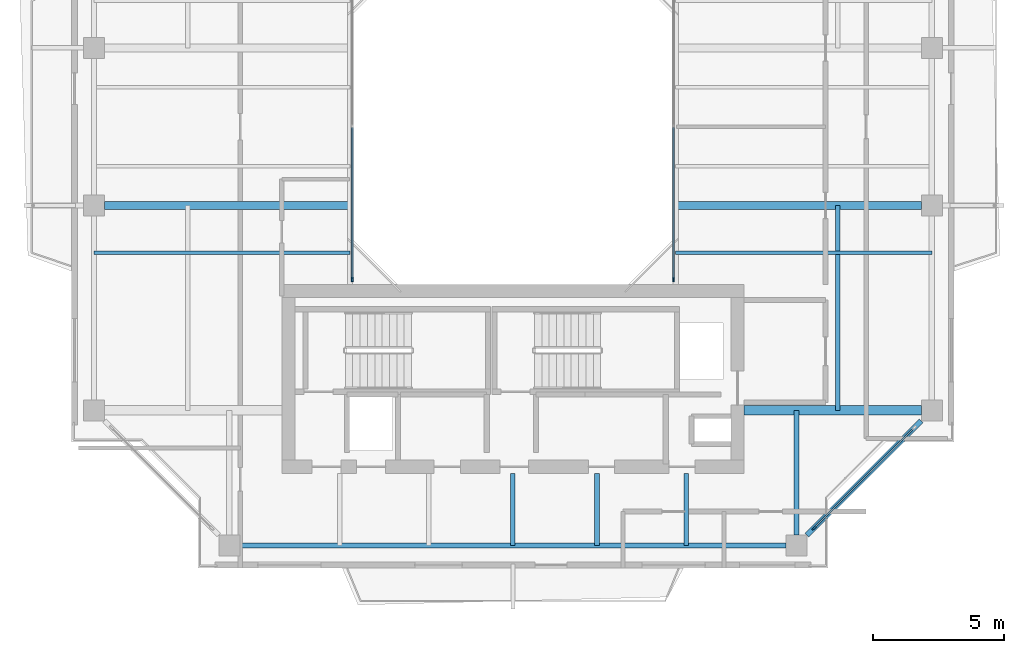
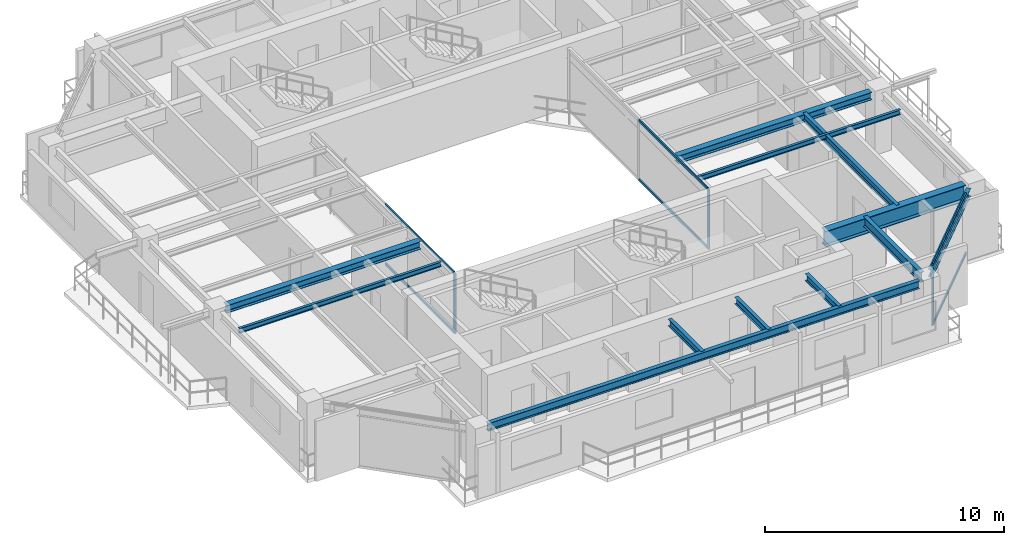
# One storey, part 4 of 15: 12 beams, 9 members, 3 elements without a shape of their own.
"""IFC4 building model written with IfcOpenShell, lengths in metres."""

from ifc_helpers import new_model, si_unit, direction, frame, origin, origin_2d, place, context, subcontext, project, spatial, rectangle, i_section, extrude, source, transform, mapped, material, layer, layer_set, material_profile, profile_set, type_object, element, aggregate, save


model = new_model("IFC4")

# Units and contexts
model_context = context("Model", 3, precision=1e-05, world=origin(), true_north=direction((0.0, 1.0)))
body_context = subcontext(model_context, "Body", "Model", "MODEL_VIEW")
ifc_project = project(units=[si_unit("LENGTHUNIT", "METRE"), si_unit("AREAUNIT", "SQUARE_METRE"), si_unit("VOLUMEUNIT", "CUBIC_METRE"), si_unit("PLANEANGLEUNIT", "RADIAN"), si_unit("MASSUNIT", "GRAM", prefix="KILO"), si_unit("THERMODYNAMICTEMPERATUREUNIT", "KELVIN"), si_unit("POWERUNIT", "WATT")], contexts=[model_context])

# Site, building, storey
site_placement = place(None, origin())
site = spatial("IfcSite", under=ifc_project, at=site_placement, CompositionType="ELEMENT")
building_placement = place(site_placement, origin())
building = spatial("IfcBuilding", under=site, at=building_placement, Name="Qiaomeng Ring Towers", CompositionType="ELEMENT")
storey_placement = place(building_placement, frame((0.0, 0.0, 226.25)))
storey = spatial("IfcBuildingStorey", under=building, at=storey_placement, Name="L66", CompositionType="ELEMENT", Elevation=226.25)

# Beams
ifc_material_1 = material(Name="Steel Q355B", Category="steel")
ifc_material_profile_1 = material_profile(ifc_material_1, i_section(OverallWidth=0.198974609375, OverallDepth=0.39599609375, WebThickness=0.007080078125, FlangeThickness=0.010986328125, FilletRadius=0.01611328125, at=origin_2d()), Name="HN 396x199x7x11")
ifc_profile_set_1 = profile_set([ifc_material_profile_1], Name="Steel Q355B")
beam_type_1 = type_object("IfcBeamType", Name="STR-BM-HN396", PredefinedType="SPANDREL", material=ifc_profile_set_1)
shared_shape_1 = source(origin(), body_context, "Body", "SweptSolid", [
    extrude(i_section(OverallWidth=0.198974609375, OverallDepth=0.39599609375, WebThickness=0.007080078125, FlangeThickness=0.010986328125, FilletRadius=0.01611328125, at=origin_2d()), origin(), (0.0, 0.0, 1.0), 20.8017578125),
])
beam_1_placement = place(storey_placement, frame((8.59912109375, 7.050048828125, 2.8720703125), z_axis=(1.0, 0.0, 0.0), x_axis=(0.0, 1.0, 0.0)))
element("IfcBeam", 1, at=beam_1_placement, inside=storey, type_object=beam_type_1, Name="L66 beam STR-SP-L66-T1-S1-S2", PredefinedType="SPANDREL", context=body_context, shape_type="MappedRepresentation", body=[
    mapped(shared_shape_1, transform((0.0, 0.0, 0.0), x_axis=(1.0, 0.0, 0.0), y_axis=(0.0, 1.0, 0.0), z_axis=(0.0, 0.0, 1.0), scale=1.0)),
])
shared_shape_2 = source(origin(), body_context, "Body", "SweptSolid", [
    extrude(i_section(OverallWidth=0.198974609375, OverallDepth=0.39599609375, WebThickness=0.007080078125, FlangeThickness=0.010986328125, FilletRadius=0.01611328125, at=origin_2d()), origin(), (0.0, 0.0, 1.0), 6.154052734375),
])
beam_2_placement = place(storey_placement, frame((30.19921875, 7.44921875, 2.8720703125), z_axis=(0.707106781187, 0.707106781187, 0.0), x_axis=(-0.707106781187, 0.707106781187, 0.0)))
element("IfcBeam", 2, at=beam_2_placement, inside=storey, type_object=beam_type_1, Name="L66 beam STR-SP-L66-T1-S2-E1", PredefinedType="SPANDREL", context=body_context, shape_type="MappedRepresentation", body=[
    mapped(shared_shape_2, transform((0.0, 0.0, 0.0), x_axis=(1.0, 0.0, 0.0), y_axis=(0.0, 1.0, 0.0), z_axis=(0.0, 0.0, 1.0), scale=1.0)),
])
ifc_material_2 = material(Name="Steel Q390GJC", Category="steel")
ifc_material_profile_2 = material_profile(ifc_material_2, i_section(OverallWidth=0.35009765625, OverallDepth=0.800048828125, WebThickness=0.01611328125, FlangeThickness=0.028076171875, at=origin_2d()), Name="WH 800x350x16x28")
ifc_profile_set_2 = profile_set([ifc_material_profile_2], Name="Steel Q390GJC")
beam_type_2 = type_object("IfcBeamType", Name="STR-BM-WH800", PredefinedType="BEAM", material=ifc_profile_set_2)
shared_shape_3 = source(origin(), body_context, "Body", "SweptSolid", [
    extrude(i_section(OverallWidth=0.35009765625, OverallDepth=0.800048828125, WebThickness=0.01611328125, FlangeThickness=0.028076171875, at=origin_2d()), origin(), (0.0, 0.0, 1.0), 6.7509765625),
])
beam_3_placement = place(storey_placement, frame((27.800048828125, 12.199951171875, 2.669921875), z_axis=(1.0, 0.0, 0.0), x_axis=(0.0, 1.0, 0.0)))
element("IfcBeam", 3, at=beam_3_placement, inside=storey, type_object=beam_type_2, Name="L66 beam STR-BM-L66-T1-RAD-E1", PredefinedType="BEAM", context=body_context, shape_type="MappedRepresentation", body=[
    mapped(shared_shape_3, transform((0.0, 0.0, 0.0), x_axis=(1.0, 0.0, 0.0), y_axis=(0.0, 1.0, 0.0), z_axis=(0.0, 0.0, 1.0), scale=1.0)),
])
ifc_material_profile_3 = material_profile(ifc_material_1, i_section(OverallWidth=0.300048828125, OverallDepth=0.389892578125, WebThickness=0.010009765625, FlangeThickness=0.01611328125, FilletRadius=0.02197265625, at=origin_2d()), Name="HM 390x300x10x16")
ifc_profile_set_3 = profile_set([ifc_material_profile_3], Name="Steel Q355B")
beam_type_3 = type_object("IfcBeamType", Name="STR-BM-HM390", PredefinedType="BEAM", material=ifc_profile_set_3)
shared_shape_4 = source(origin(), body_context, "Body", "SweptSolid", [
    extrude(i_section(OverallWidth=0.300048828125, OverallDepth=0.389892578125, WebThickness=0.010009765625, FlangeThickness=0.01611328125, FilletRadius=0.02197265625, at=origin_2d()), origin(), (0.0, 0.0, 1.0), 9.35107421875),
])
for number, where, z_axis, x_axis, name in (
    (4, (3.448974609375, 20.0, 2.875), (1.0, 0.0, 0.0), (0.0, 1.0, 0.0), "L66 beam STR-BM-L66-T1-RAD-W2"),
    (5, (25.199951171875, 20.0, 2.875), (1.0, 0.0, 0.0), (0.0, 1.0, 0.0), "L66 beam STR-BM-L66-T1-RAD-E2"),
):
    element("IfcBeam", number, at=place(storey_placement, frame(where, z_axis=z_axis, x_axis=x_axis)), inside=storey, type_object=beam_type_3, Name=name, PredefinedType="BEAM", context=body_context, shape_type="MappedRepresentation", body=[
        mapped(shared_shape_4, transform((0.0, 0.0, 0.0), x_axis=(1.0, 0.0, 0.0), y_axis=(0.0, 1.0, 0.0), z_axis=(0.0, 0.0, 1.0), scale=1.0)),
    ])
ifc_material_profile_4 = material_profile(ifc_material_1, i_section(OverallWidth=0.175048828125, OverallDepth=0.35009765625, WebThickness=0.007080078125, FlangeThickness=0.010986328125, FilletRadius=0.013916015625, at=origin_2d()), Name="HN 350x175x7x11")
ifc_profile_set_4 = profile_set([ifc_material_profile_4], Name="Steel Q355B")
beam_type_4 = type_object("IfcBeamType", Name="STR-BM-HN350", PredefinedType="JOIST", material=ifc_profile_set_4)
shared_shape_5 = source(origin(), body_context, "Body", "SweptSolid", [
    extrude(i_section(OverallWidth=0.175048828125, OverallDepth=0.35009765625, WebThickness=0.007080078125, FlangeThickness=0.010986328125, FilletRadius=0.013916015625, at=origin_2d()), origin(), (0.0, 0.0, 1.0), 2.75),
])
for number, where, z_axis, x_axis, name in (
    (6, (19.0, 7.050048828125, 2.89501953125), (0.0, 1.0, 0.0), (-1.0, 0.0, 0.0), "L66 beam STR-JST-L66-T1S-3"),
    (7, (22.199951171875, 7.050048828125, 2.89501953125), (0.0, 1.0, 0.0), (-1.0, 0.0, 0.0), "L66 beam STR-JST-L66-T1S-4"),
    (8, (25.60009765625, 7.050048828125, 2.89501953125), (0.0, 1.0, 0.0), (-1.0, 0.0, 0.0), "L66 beam STR-JST-L66-T1S-5"),
):
    element("IfcBeam", number, at=place(storey_placement, frame(where, z_axis=z_axis, x_axis=x_axis)), inside=storey, type_object=beam_type_4, Name=name, PredefinedType="JOIST", context=body_context, shape_type="MappedRepresentation", body=[
        mapped(shared_shape_5, transform((0.0, 0.0, 0.0), x_axis=(1.0, 0.0, 0.0), y_axis=(0.0, 1.0, 0.0), z_axis=(0.0, 0.0, 1.0), scale=1.0)),
    ])
ifc_material_profile_5 = material_profile(ifc_material_1, i_section(OverallWidth=0.125, OverallDepth=0.25, WebThickness=0.006103515625, FlangeThickness=0.009033203125, FilletRadius=0.011962890625, at=origin_2d()), Name="HN 250x125x6x9")
ifc_profile_set_5 = profile_set([ifc_material_profile_5], Name="Steel Q355B")
beam_type_5 = type_object("IfcBeamType", Name="STR-BM-HN250", PredefinedType="JOIST", material=ifc_profile_set_5)
shared_shape_6 = source(origin(), body_context, "Body", "SweptSolid", [
    extrude(i_section(OverallWidth=0.125, OverallDepth=0.25, WebThickness=0.006103515625, FlangeThickness=0.009033203125, FilletRadius=0.011962890625, at=origin_2d()), origin(), (0.0, 0.0, 1.0), 9.75),
])
for number, where, z_axis, x_axis, name in (
    (9, (3.050048828125, 18.199951171875, 2.945068359375), (1.0, 0.0, 0.0), (0.0, 1.0, 0.0), "L66 beam STR-JST-L66-T1W-1"),
    (10, (25.199951171875, 18.199951171875, 2.945068359375), (1.0, 0.0, 0.0), (0.0, 1.0, 0.0), "L66 beam STR-JST-L66-T1E-1"),
):
    element("IfcBeam", number, at=place(storey_placement, frame(where, z_axis=z_axis, x_axis=x_axis)), inside=storey, type_object=beam_type_5, Name=name, PredefinedType="JOIST", context=body_context, shape_type="MappedRepresentation", body=[
        mapped(shared_shape_6, transform((0.0, 0.0, 0.0), x_axis=(1.0, 0.0, 0.0), y_axis=(0.0, 1.0, 0.0), z_axis=(0.0, 0.0, 1.0), scale=1.0)),
    ])
shared_shape_7 = source(origin(), body_context, "Body", "SweptSolid", [
    extrude(i_section(OverallWidth=0.175048828125, OverallDepth=0.35009765625, WebThickness=0.007080078125, FlangeThickness=0.010986328125, FilletRadius=0.013916015625, at=origin_2d()), origin(), (0.0, 0.0, 1.0), 7.800048828125),
])
beam_4_placement = place(storey_placement, frame((31.375, 12.199951171875, 2.89501953125), z_axis=(0.0, 1.0, 0.0), x_axis=(-1.0, 0.0, 0.0)))
element("IfcBeam", 11, at=beam_4_placement, inside=storey, type_object=beam_type_4, Name="L66 beam STR-JST-L66-T1C-ES", PredefinedType="JOIST", context=body_context, shape_type="MappedRepresentation", body=[
    mapped(shared_shape_7, transform((0.0, 0.0, 0.0), x_axis=(1.0, 0.0, 0.0), y_axis=(0.0, 1.0, 0.0), z_axis=(0.0, 0.0, 1.0), scale=1.0)),
])
ifc_material_profile_6 = material_profile(ifc_material_1, i_section(OverallWidth=0.198974609375, OverallDepth=0.49609375, WebThickness=0.009033203125, FlangeThickness=0.013916015625, FilletRadius=0.01806640625, at=origin_2d()), Name="HN 496x199x9x14")
ifc_profile_set_6 = profile_set([ifc_material_profile_6], Name="Steel Q355B")
beam_type_6 = type_object("IfcBeamType", Name="STR-BM-HN496", PredefinedType="BEAM", material=ifc_profile_set_6)
shared_shape_8 = source(origin(), body_context, "Body", "SweptSolid", [
    extrude(i_section(OverallWidth=0.198974609375, OverallDepth=0.49609375, WebThickness=0.009033203125, FlangeThickness=0.013916015625, FilletRadius=0.01806640625, at=origin_2d()), origin(), (0.0, 0.0, 1.0), 4.7509765625),
])
beam_5_placement = place(storey_placement, frame((29.800048828125, 7.448974609375, 2.822021484375), z_axis=(0.0, 1.0, 0.0), x_axis=(-1.0, 0.0, 0.0)))
element("IfcBeam", 12, at=beam_5_placement, inside=storey, type_object=beam_type_6, Name="L66 beam STR-BM-L66-T1-RAD-S2", PredefinedType="BEAM", context=body_context, shape_type="MappedRepresentation", body=[
    mapped(shared_shape_8, transform((0.0, 0.0, 0.0), x_axis=(1.0, 0.0, 0.0), y_axis=(0.0, 1.0, 0.0), z_axis=(0.0, 0.0, 1.0), scale=1.0)),
])

# Curtain wall, member
ifc_material_3 = material(Name="Fluorocarbon dark-grey aluminium", Category="aluminium")
ifc_layer_1 = layer(ifc_material_3, 0.139892578125, Name="Fluorocarbon dark-grey aluminium")
ifc_layer_set_1 = layer_set([ifc_layer_1], Name="Fluorocarbon dark-grey aluminium")
curtain_wall_type_1 = type_object("IfcCurtainWallType", Name="ARC-CW-4", PredefinedType="NOTDEFINED", material=ifc_layer_set_1)
curtain_wall_1_placement = place(storey_placement, origin())
curtain_wall_1 = element("IfcCurtainWall", 13, at=curtain_wall_1_placement, inside=storey, type_object=curtain_wall_type_1, Name="L66 Curtain Wall CW4", PredefinedType="NOTDEFINED")
ifc_material_profile_7 = material_profile(ifc_material_3, rectangle(XDim=0.06494140625, YDim=0.159912109375, at=origin_2d()), Name="ALU MULL 65x160")
ifc_profile_set_7 = profile_set([ifc_material_profile_7], Name="Fluorocarbon dark-grey aluminium")
member_type_1 = type_object("IfcMemberType", Name="ARC-CWM-140", PredefinedType="MULLION", material=ifc_profile_set_7)
shared_shape_9 = source(origin(), body_context, "Body", "SweptSolid", [
    extrude(rectangle(XDim=0.06494140625, YDim=0.159912109375, at=origin_2d()), origin(), (0.0, 0.0, 1.0), 3.070068359375),
])
member_1_placement = place(storey_placement, frame((12.8798828125, 17.1826171875, 0.0), z_axis=(0.0, 0.0, 1.0), x_axis=(-1.0, 0.0, 0.0)))
member_1 = element("IfcMember", 14, at=member_1_placement, type_object=member_type_1, Name="CW4 mullion 1", PredefinedType="MULLION", context=body_context, shape_type="MappedRepresentation", body=[
    mapped(shared_shape_9, transform((0.0, 0.0, 0.0), x_axis=(1.0, 0.0, 0.0), y_axis=(0.0, 1.0, 0.0), z_axis=(0.0, 0.0, 1.0), scale=1.0)),
])

curtain_wall_2_placement = place(storey_placement, origin())
curtain_wall_2 = element("IfcCurtainWall", 15, at=curtain_wall_2_placement, inside=storey, type_object=curtain_wall_type_1, Name="L66 Curtain Wall CW4", PredefinedType="NOTDEFINED")
member_2_placement = place(storey_placement, frame((25.1201171875, 17.1826171875, 0.0), z_axis=(0.0, 0.0, 1.0), x_axis=(-1.0, 0.0, 0.0)))
member_2 = element("IfcMember", 16, at=member_2_placement, type_object=member_type_1, Name="CW4 mullion 1", PredefinedType="MULLION", context=body_context, shape_type="MappedRepresentation", body=[
    mapped(shared_shape_9, transform((0.0, 0.0, 0.0), x_axis=(1.0, 0.0, 0.0), y_axis=(0.0, 1.0, 0.0), z_axis=(0.0, 0.0, 1.0), scale=1.0)),
])

# Member
ifc_material_profile_8 = material_profile(ifc_material_3, rectangle(XDim=0.06494140625, YDim=0.1298828125, at=origin_2d()), Name="ALU TRAN 65x130")
ifc_profile_set_8 = profile_set([ifc_material_profile_8], Name="Fluorocarbon dark-grey aluminium")
member_type_2 = type_object("IfcMemberType", Name="ARC-CWT-120", PredefinedType="USERDEFINED", material=ifc_profile_set_8)
shared_shape_10 = source(origin(), body_context, "Body", "SweptSolid", [
    extrude(rectangle(XDim=0.06494140625, YDim=0.1298828125, at=origin_2d()), origin(), (0.0, 0.0, 1.0), 5.75244140625),
])
member_3_placement = place(storey_placement, frame((12.8798828125, 17.215087890625, 0.032470703125), z_axis=(0.0, 1.0, 0.0), x_axis=(-1.0, 0.0, 0.0)))
member_3 = element("IfcMember", 17, at=member_3_placement, type_object=member_type_2, Name="CW4 transom 1.1", ObjectType="TRANSOM", PredefinedType="USERDEFINED", context=body_context, shape_type="MappedRepresentation", body=[
    mapped(shared_shape_10, transform((0.0, 0.0, 0.0), x_axis=(1.0, 0.0, 0.0), y_axis=(0.0, 1.0, 0.0), z_axis=(0.0, 0.0, 1.0), scale=1.0)),
])

member_4_placement = place(storey_placement, frame((12.8798828125, 17.215087890625, 3.03759765625), z_axis=(0.0, 1.0, 0.0), x_axis=(-1.0, 0.0, 0.0)))
member_4 = element("IfcMember", 18, at=member_4_placement, type_object=member_type_2, Name="CW4 transom 1.2", ObjectType="TRANSOM", PredefinedType="USERDEFINED", context=body_context, shape_type="MappedRepresentation", body=[
    mapped(shared_shape_10, transform((0.0, 0.0, 0.0), x_axis=(1.0, 0.0, 0.0), y_axis=(0.0, 1.0, 0.0), z_axis=(0.0, 0.0, 1.0), scale=1.0)),
])

aggregate(curtain_wall_1, [member_1, member_3, member_4])

member_5_placement = place(storey_placement, frame((25.1201171875, 17.215087890625, 0.032470703125), z_axis=(0.0, 1.0, 0.0), x_axis=(-1.0, 0.0, 0.0)))
member_5 = element("IfcMember", 19, at=member_5_placement, type_object=member_type_2, Name="CW4 transom 1.1", ObjectType="TRANSOM", PredefinedType="USERDEFINED", context=body_context, shape_type="MappedRepresentation", body=[
    mapped(shared_shape_10, transform((0.0, 0.0, 0.0), x_axis=(1.0, 0.0, 0.0), y_axis=(0.0, 1.0, 0.0), z_axis=(0.0, 0.0, 1.0), scale=1.0)),
])

member_6_placement = place(storey_placement, frame((25.1201171875, 17.215087890625, 3.03759765625), z_axis=(0.0, 1.0, 0.0), x_axis=(-1.0, 0.0, 0.0)))
member_6 = element("IfcMember", 20, at=member_6_placement, type_object=member_type_2, Name="CW4 transom 1.2", ObjectType="TRANSOM", PredefinedType="USERDEFINED", context=body_context, shape_type="MappedRepresentation", body=[
    mapped(shared_shape_10, transform((0.0, 0.0, 0.0), x_axis=(1.0, 0.0, 0.0), y_axis=(0.0, 1.0, 0.0), z_axis=(0.0, 0.0, 1.0), scale=1.0)),
])

aggregate(curtain_wall_2, [member_2, member_5, member_6])

# Curtain wall, members
ifc_layer_2 = layer(ifc_material_3, 0.14990234375, Name="Fluorocarbon dark-grey aluminium")
ifc_layer_set_2 = layer_set([ifc_layer_2], Name="Fluorocarbon dark-grey aluminium")
curtain_wall_type_2 = type_object("IfcCurtainWallType", Name="ARC-CW-3", PredefinedType="NOTDEFINED", material=ifc_layer_set_2)
curtain_wall_3_placement = place(storey_placement, origin())
curtain_wall_3 = element("IfcCurtainWall", 21, at=curtain_wall_3_placement, inside=storey, type_object=curtain_wall_type_2, Name="L66 Curtain Wall CW3", PredefinedType="NOTDEFINED")
ifc_material_profile_9 = material_profile(ifc_material_3, rectangle(XDim=0.070068359375, YDim=0.179931640625, at=origin_2d()), Name="ALU MULL 70x180")
ifc_profile_set_9 = profile_set([ifc_material_profile_9], Name="Fluorocarbon dark-grey aluminium")
member_type_3 = type_object("IfcMemberType", Name="ARC-CWM-160", PredefinedType="MULLION", material=ifc_profile_set_9)
shared_shape_11 = source(origin(), body_context, "Body", "SweptSolid", [
    extrude(rectangle(XDim=0.070068359375, YDim=0.179931640625, at=origin_2d()), origin(), (0.0, 0.0, 1.0), 3.070068359375),
])
member_7_placement = place(storey_placement, frame((30.46484375, 7.71484375, 0.0), z_axis=(0.0, 0.0, 1.0), x_axis=(-0.707106781187, 0.707106781187, 0.0)))
member_7 = element("IfcMember", 22, at=member_7_placement, type_object=member_type_3, Name="CW3 mullion 1", PredefinedType="MULLION", context=body_context, shape_type="MappedRepresentation", body=[
    mapped(shared_shape_11, transform((0.0, 0.0, 0.0), x_axis=(1.0, 0.0, 0.0), y_axis=(0.0, 1.0, 0.0), z_axis=(0.0, 0.0, 1.0), scale=1.0)),
])
shared_shape_12 = source(origin(), body_context, "Body", "SweptSolid", [
    extrude(rectangle(XDim=0.06494140625, YDim=0.1298828125, at=origin_2d()), origin(), (0.0, 0.0, 1.0), 5.3330078125),
])
member_8_placement = place(storey_placement, frame((30.489501953125, 7.739501953125, 0.032470703125), z_axis=(0.707106781187, 0.707106781187, 0.0), x_axis=(-0.707106781187, 0.707106781187, 0.0)))
member_8 = element("IfcMember", 23, at=member_8_placement, type_object=member_type_2, Name="CW3 transom 1.1", ObjectType="TRANSOM", PredefinedType="USERDEFINED", context=body_context, shape_type="MappedRepresentation", body=[
    mapped(shared_shape_12, transform((0.0, 0.0, 0.0), x_axis=(1.0, 0.0, 0.0), y_axis=(0.0, 1.0, 0.0), z_axis=(0.0, 0.0, 1.0), scale=1.0)),
])
member_9_placement = place(storey_placement, frame((30.489501953125, 7.739501953125, 3.03759765625), z_axis=(0.707106781187, 0.707106781187, 0.0), x_axis=(-0.707106781187, 0.707106781187, 0.0)))
member_9 = element("IfcMember", 24, at=member_9_placement, type_object=member_type_2, Name="CW3 transom 1.2", ObjectType="TRANSOM", PredefinedType="USERDEFINED", context=body_context, shape_type="MappedRepresentation", body=[
    mapped(shared_shape_12, transform((0.0, 0.0, 0.0), x_axis=(1.0, 0.0, 0.0), y_axis=(0.0, 1.0, 0.0), z_axis=(0.0, 0.0, 1.0), scale=1.0)),
])
aggregate(curtain_wall_3, [member_7, member_8, member_9])

save(model, "model.ifc")
